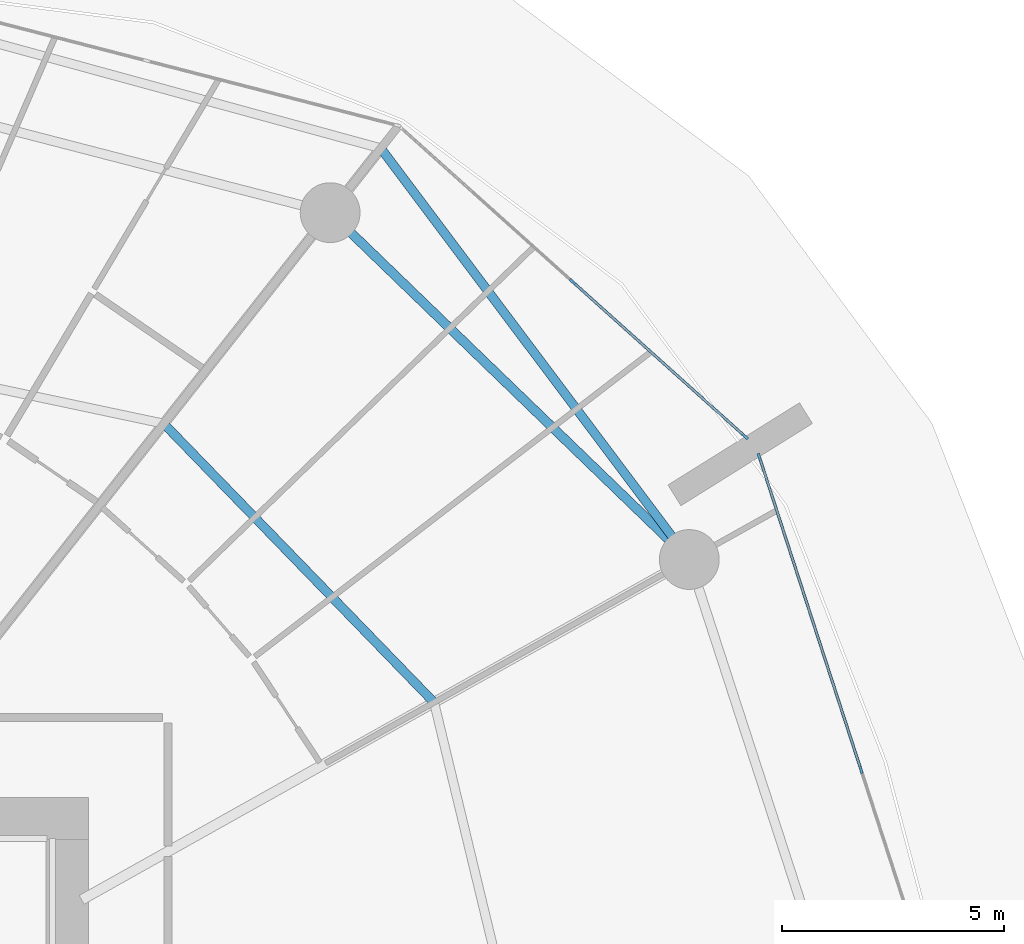
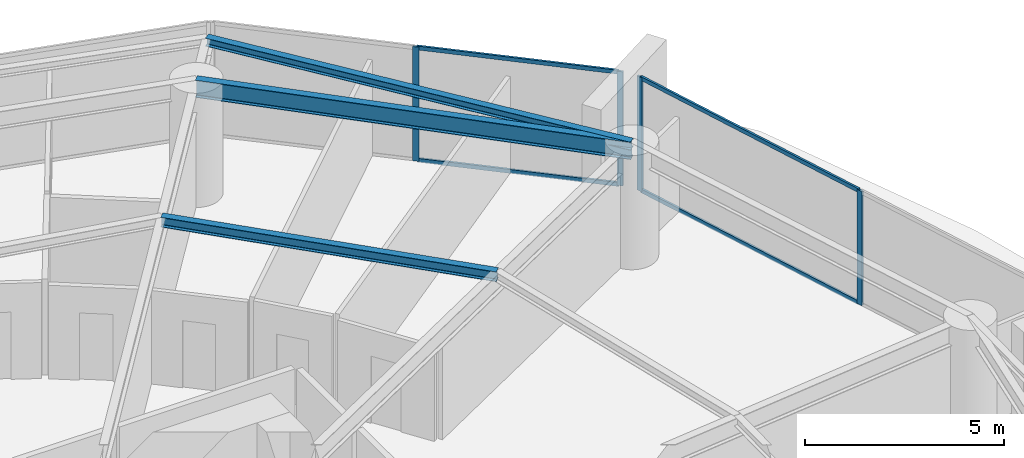
# One storey, part 14 of 22: 8 members, 3 beams, 2 elements without a shape of their own.
"""IFC4 building model written with IfcOpenShell, lengths in metres."""

from ifc_helpers import new_model, si_unit, direction, frame, origin, origin_2d, place, context, subcontext, project, spatial, rectangle, i_section, extrude, material, layer, layer_set, material_profile, profile_set, type_object, element, aggregate, save


model = new_model("IFC4")

# Units and contexts
model_context = context("Model", 3, precision=1e-05, world=origin(), true_north=direction((0.0, 1.0)))
body_context = subcontext(model_context, "Body", "Model", "MODEL_VIEW")
ifc_project = project(units=[si_unit("LENGTHUNIT", "METRE"), si_unit("AREAUNIT", "SQUARE_METRE"), si_unit("VOLUMEUNIT", "CUBIC_METRE"), si_unit("PLANEANGLEUNIT", "RADIAN"), si_unit("MASSUNIT", "GRAM", prefix="KILO")], contexts=[model_context])

# Site, building, storey
site_placement = place(None, origin())
site = spatial("IfcSite", under=ifc_project, at=site_placement, CompositionType="ELEMENT")
building_placement = place(site_placement, origin())
building = spatial("IfcBuilding", under=site, at=building_placement, Name="Kazma Halo Residences", CompositionType="ELEMENT")
storey_placement = place(building_placement, frame((0.0, 0.0, 26.39990234375)))
storey = spatial("IfcBuildingStorey", under=building, at=storey_placement, Name="L05", CompositionType="ELEMENT", Elevation=26.39990234375)

# Beams
ifc_material_1 = material(Name="Steel S355", Category="steel")
ifc_material_profile_1 = material_profile(ifc_material_1, i_section(OverallWidth=0.201904296875, OverallDepth=0.2470703125, WebThickness=0.00732421875, FlangeThickness=0.010986328125, FilletRadius=0.011962890625, at=origin_2d()), Name="W250x49.1")
ifc_profile_set_1 = profile_set([ifc_material_profile_1], Name="Steel S355")
beam_type_1 = type_object("IfcBeamType", Name="BM-BAL-CANT", PredefinedType="BEAM", material=ifc_profile_set_1)
beam_1_placement = place(storey_placement, frame((73.56494140625, 56.317138671875, 3.376708984375), z_axis=(-0.600026935007, 0.799979798037, 0.0), x_axis=(-0.799979798037, -0.600026935007, 0.0)))
element("IfcBeam", 1, at=beam_1_placement, inside=storey, type_object=beam_type_1, Name="L05 wave-balcony lead tie beam 01", PredefinedType="BEAM", context=body_context, shape_type="SweptSolid", body=[
    extrude(i_section(OverallWidth=0.201904296875, OverallDepth=0.2470703125, WebThickness=0.00732421875, FlangeThickness=0.010986328125, FilletRadius=0.011962890625, at=origin_2d()), origin(), (0.0, 0.0, 1.0), 11.601806640625),
])
ifc_material_profile_2 = material_profile(ifc_material_1, i_section(OverallWidth=0.202880859375, OverallDepth=0.302978515625, WebThickness=0.007568359375, FlangeThickness=0.01318359375, FilletRadius=0.013916015625, at=origin_2d()), Name="W310x60")
ifc_profile_set_2 = profile_set([ifc_material_profile_2], Name="Steel S355")
beam_type_2 = type_object("IfcBeamType", Name="BM-SEC-W310A", PredefinedType="JOIST", material=ifc_profile_set_2)
beam_2_placement = place(storey_placement, frame((67.8046875, 53.09130859375, 3.3486328125), z_axis=(-0.696130608567, 0.717915159205, 0.0), x_axis=(-0.717915159205, -0.696130608567, 0.0)))
element("IfcBeam", 2, at=beam_2_placement, inside=storey, type_object=beam_type_2, Name="L05 circumferential floor joist 01", PredefinedType="JOIST", context=body_context, shape_type="SweptSolid", body=[
    extrude(i_section(OverallWidth=0.202880859375, OverallDepth=0.302978515625, WebThickness=0.007568359375, FlangeThickness=0.01318359375, FilletRadius=0.013916015625, at=origin_2d()), origin(), (0.0, 0.0, 1.0), 8.763916015625),
])
ifc_material_profile_3 = material_profile(ifc_material_1, i_section(OverallWidth=0.208984375, OverallDepth=0.532958984375, WebThickness=0.01025390625, FlangeThickness=0.015625, FilletRadius=0.01611328125, at=origin_2d()), Name="W530x92")
ifc_profile_set_3 = profile_set([ifc_material_profile_3], Name="Steel S355")
beam_type_3 = type_object("IfcBeamType", Name="BM-SPN-W530", PredefinedType="BEAM", material=ifc_profile_set_3)
beam_3_placement = place(storey_placement, frame((73.56494140625, 56.317138671875, 3.233642578125), z_axis=(-0.719336506967, 0.694661780829, 0.0), x_axis=(-0.694661780829, -0.719336506967, 0.0)))
element("IfcBeam", 3, at=beam_3_placement, inside=storey, type_object=beam_type_3, Name="L05 perimeter ring beam 01", PredefinedType="BEAM", context=body_context, shape_type="SweptSolid", body=[
    extrude(i_section(OverallWidth=0.208984375, OverallDepth=0.532958984375, WebThickness=0.01025390625, FlangeThickness=0.015625, FilletRadius=0.01611328125, at=origin_2d()), origin(), (0.0, 0.0, 1.0), 11.269775390625),
])

# Curtain wall, members
ifc_material_2 = material(Name="Aluminium AW-6063 T6 and Triple-Silver Low-E Glass", Category="aluminium")
ifc_layer = layer(ifc_material_2, 0.159912109375)
ifc_layer_set = layer_set([ifc_layer], Name="Aluminium AW-6063 T6 and Triple-Silver Low-E Glass")
curtain_wall_type = type_object("IfcCurtainWallType", Name="CW-SYS-2", PredefinedType="NOTDEFINED", material=ifc_layer_set)
curtain_wall_1_placement = place(storey_placement, origin())
curtain_wall_1 = element("IfcCurtainWall", 4, at=curtain_wall_1_placement, inside=storey, type_object=curtain_wall_type, Name="L05 unitised curtain wall B01", PredefinedType="NOTDEFINED")
ifc_material_3 = material(Name="Aluminium AW-6063 T6", Category="aluminium")
ifc_material_profile_4 = material_profile(ifc_material_3, rectangle(XDim=0.06005859375, YDim=0.159912109375, at=origin_2d()), Name="CWM-60x160")
ifc_profile_set_4 = profile_set([ifc_material_profile_4], Name="Aluminium AW-6063 T6")
member_type_1 = type_object("IfcMemberType", Name="CW-SYS-2-MUL", PredefinedType="MULLION", material=ifc_profile_set_4)
member_1_placement = place(storey_placement, frame((74.82666015625, 59.091796875, 0.0), z_axis=(0.0, 0.0, 1.0), x_axis=(-0.667821453854, -0.744321506993, 0.0)))
member_1 = element("IfcMember", 5, at=member_1_placement, type_object=member_type_1, Name="CWS-2 mullion 1", PredefinedType="MULLION", context=body_context, shape_type="SweptSolid", body=[
    extrude(rectangle(XDim=0.06005859375, YDim=0.159912109375, at=origin_2d()), origin(), (0.0, 0.0, 1.0), 3.5),
])
member_2_placement = place(storey_placement, frame((70.92724609375, 62.590087890625, 0.0), z_axis=(0.0, 0.0, 1.0), x_axis=(-0.667821453854, -0.744321506993, 0.0)))
member_2 = element("IfcMember", 6, at=member_2_placement, type_object=member_type_1, Name="CWS-2 mullion 2", PredefinedType="MULLION", context=body_context, shape_type="SweptSolid", body=[
    extrude(rectangle(XDim=0.06005859375, YDim=0.159912109375, at=origin_2d()), origin(), (0.0, 0.0, 1.0), 3.5),
])

curtain_wall_2_placement = place(storey_placement, origin())
curtain_wall_2 = element("IfcCurtainWall", 7, at=curtain_wall_2_placement, inside=storey, type_object=curtain_wall_type, Name="L05 unitised curtain wall B16", PredefinedType="NOTDEFINED")
member_3_placement = place(storey_placement, frame((77.44189453125, 51.56640625, 0.0), z_axis=(0.0, 0.0, 1.0), x_axis=(-0.95105652404, -0.309016970539, 0.0)))
member_3 = element("IfcMember", 8, at=member_3_placement, type_object=member_type_1, Name="CWS-2 mullion 2", PredefinedType="MULLION", context=body_context, shape_type="SweptSolid", body=[
    extrude(rectangle(XDim=0.06005859375, YDim=0.159912109375, at=origin_2d()), origin(), (0.0, 0.0, 1.0), 3.5),
])
member_4_placement = place(storey_placement, frame((75.145751953125, 58.63330078125, 0.0), z_axis=(0.0, 0.0, 1.0), x_axis=(-0.95105652404, -0.309016970539, 0.0)))
member_4 = element("IfcMember", 9, at=member_4_placement, type_object=member_type_1, Name="CWS-2 mullion 3", PredefinedType="MULLION", context=body_context, shape_type="SweptSolid", body=[
    extrude(rectangle(XDim=0.06005859375, YDim=0.159912109375, at=origin_2d()), origin(), (0.0, 0.0, 1.0), 3.5),
])

# Member
ifc_material_profile_5 = material_profile(ifc_material_3, rectangle(XDim=0.06005859375, YDim=0.1201171875, at=origin_2d()), Name="CWT-60x120")
ifc_profile_set_5 = profile_set([ifc_material_profile_5], Name="Aluminium AW-6063 T6")
member_type_2 = type_object("IfcMemberType", Name="CW-SYS-2-TRN", PredefinedType="USERDEFINED", material=ifc_profile_set_5)
member_5_placement = place(storey_placement, frame((74.80419921875, 59.11181640625, 0.030029296875), z_axis=(-0.744329408538, 0.66781264707, 0.0), x_axis=(-0.66781264707, -0.744329408538, 0.0)))
member_5 = element("IfcMember", 10, at=member_5_placement, type_object=member_type_2, Name="CWS-2 transom 1.1", ObjectType="TRANSOM", PredefinedType="USERDEFINED", context=body_context, shape_type="SweptSolid", body=[
    extrude(rectangle(XDim=0.06005859375, YDim=0.1201171875, at=origin_2d()), origin(), (0.0, 0.0, 1.0), 5.178466796875),
])

member_6_placement = place(storey_placement, frame((74.80419921875, 59.11181640625, 3.47021484375), z_axis=(-0.744329408538, 0.66781264707, 0.0), x_axis=(-0.66781264707, -0.744329408538, 0.0)))
member_6 = element("IfcMember", 11, at=member_6_placement, type_object=member_type_2, Name="CWS-2 transom 1.2", ObjectType="TRANSOM", PredefinedType="USERDEFINED", context=body_context, shape_type="SweptSolid", body=[
    extrude(rectangle(XDim=0.06005859375, YDim=0.1201171875, at=origin_2d()), origin(), (0.0, 0.0, 1.0), 5.178466796875),
])

aggregate(curtain_wall_1, [member_1, member_2, member_5, member_6])

member_7_placement = place(storey_placement, frame((77.4326171875, 51.5947265625, 0.030029296875), z_axis=(-0.309004433966, 0.951060597328, 0.0), x_axis=(-0.951060597328, -0.309004433966, 0.0)))
member_7 = element("IfcMember", 12, at=member_7_placement, type_object=member_type_2, Name="CWS-2 transom 2.1", ObjectType="TRANSOM", PredefinedType="USERDEFINED", context=body_context, shape_type="SweptSolid", body=[
    extrude(rectangle(XDim=0.06005859375, YDim=0.1201171875, at=origin_2d()), origin(), (0.0, 0.0, 1.0), 7.370849609375),
])

member_8_placement = place(storey_placement, frame((77.4326171875, 51.5947265625, 3.47021484375), z_axis=(-0.309004433966, 0.951060597328, 0.0), x_axis=(-0.951060597328, -0.309004433966, 0.0)))
member_8 = element("IfcMember", 13, at=member_8_placement, type_object=member_type_2, Name="CWS-2 transom 2.2", ObjectType="TRANSOM", PredefinedType="USERDEFINED", context=body_context, shape_type="SweptSolid", body=[
    extrude(rectangle(XDim=0.06005859375, YDim=0.1201171875, at=origin_2d()), origin(), (0.0, 0.0, 1.0), 7.370849609375),
])

aggregate(curtain_wall_2, [member_3, member_4, member_7, member_8])

save(model, "model.ifc")
